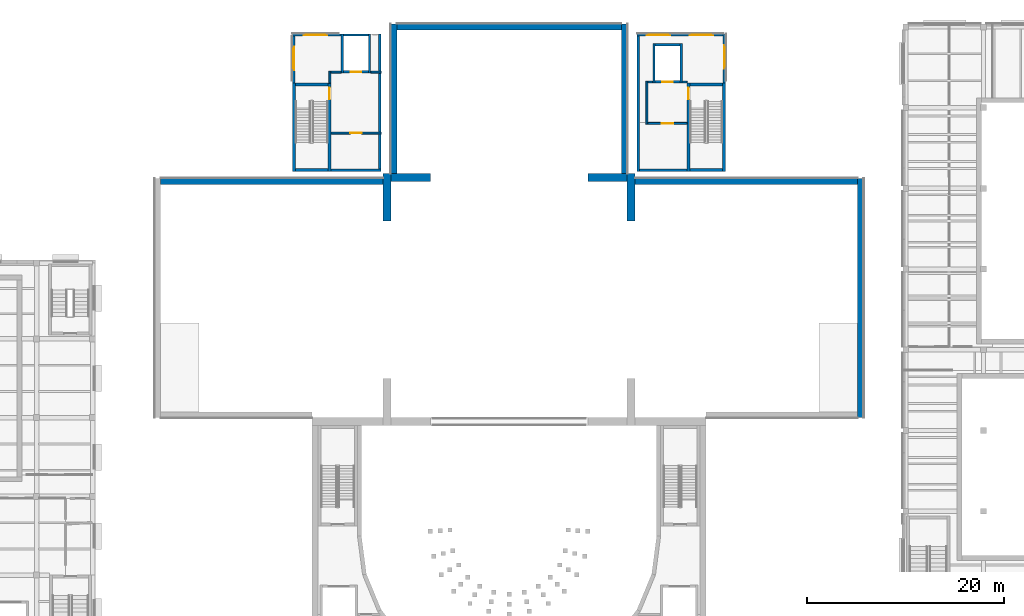
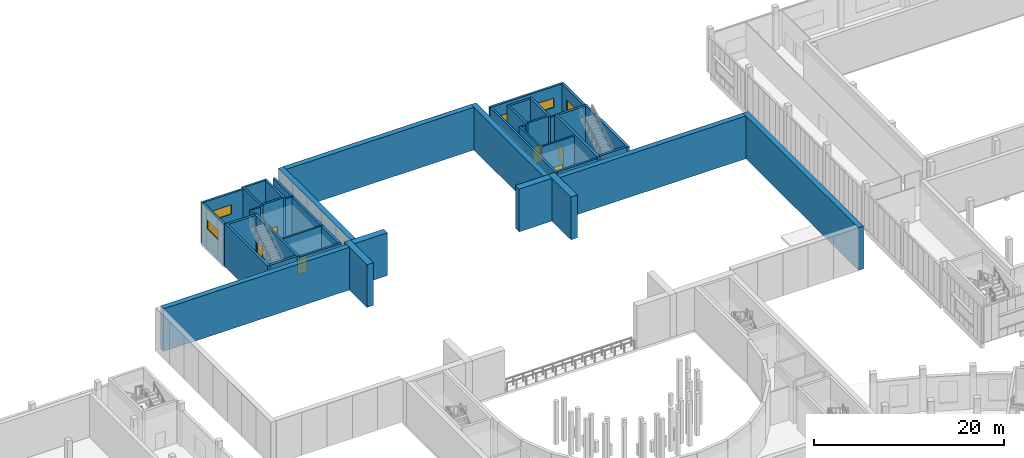
# One storey, part 60 of 112: 44 walls, 6 doors, 5 windows, 11 openings.
"""IFC4 building model written with IfcOpenShell, lengths in metres."""

from ifc_helpers import new_model, si_unit, direction, frame, frame_2d, origin, place, context, subcontext, project, spatial, rectangle, extrude, material, layer, layer_set, type_object, element, fill, save


model = new_model("IFC4")

# Units and contexts
model_context = context("Model", 3, precision=1e-05, world=origin(), true_north=direction((0.0, 1.0)))
body_context = subcontext(model_context, "Body", "Model", "MODEL_VIEW")
ifc_project = project(units=[si_unit("LENGTHUNIT", "METRE"), si_unit("AREAUNIT", "SQUARE_METRE"), si_unit("VOLUMEUNIT", "CUBIC_METRE"), si_unit("PLANEANGLEUNIT", "RADIAN"), si_unit("MASSUNIT", "GRAM", prefix="KILO")], contexts=[model_context])

# Site, building, storey
site_placement = place(None, origin())
site = spatial("IfcSite", under=ifc_project, at=site_placement, CompositionType="ELEMENT")
building_placement = place(site_placement, origin())
building = spatial("IfcBuilding", under=site, at=building_placement, Name="Lunette Opera House", CompositionType="ELEMENT")
storey_placement = place(building_placement, frame((0.0, 0.0, 6.0)))
storey = spatial("IfcBuildingStorey", under=building, at=storey_placement, Name="L01", CompositionType="ELEMENT", Elevation=6.0)

# Walls
ifc_material_1 = material(Name="Concrete C35/45", Category="concrete")
ifc_layer_1 = layer(ifc_material_1, 0.199951171875)
ifc_layer_set_1 = layer_set([ifc_layer_1], Name="Concrete C35/45")
wall_type_1 = type_object("IfcWallType", Name="LOBBY WALL 200", PredefinedType="PARTITIONING", material=ifc_layer_set_1)
wall_1_placement = place(storey_placement, frame((114.080078125, 130.10009765625, 0.0), z_axis=(0.0, 0.0, 1.0), x_axis=(-1.0, 0.0, 0.0)))
element("IfcWall", 1, at=wall_1_placement, inside=storey, type_object=wall_type_1, Name="FL3 lobby wall 2a", PredefinedType="PARTITIONING", context=body_context, shape_type="SweptSolid", body=[
    extrude(rectangle(XDim=0.489990234375, YDim=0.199951171875, at=frame_2d((0.2451171875, 0.0))), origin(), (0.0, 0.0, 1.0), 5.280029296875),
])
wall_2_placement = place(storey_placement, frame((110.580078125, 130.10009765625, 0.0), z_axis=(0.0, 0.0, 1.0), x_axis=(-1.0, 0.0, 0.0)))
element("IfcWall", 2, at=wall_2_placement, inside=storey, type_object=wall_type_1, Name="FL3 lobby wall 2b", PredefinedType="PARTITIONING", context=body_context, shape_type="SweptSolid", body=[
    extrude(rectangle(XDim=0.47998046875, YDim=0.199951171875, at=frame_2d((0.239990234375, 0.0))), origin(), (0.0, 0.0, 1.0), 5.280029296875),
])
wall_3_placement = place(storey_placement, frame((110.0, 130.199951171875, 0.0), z_axis=(0.0, 0.0, 1.0), x_axis=(0.0, -1.0, 0.0)))
element("IfcWall", 3, at=wall_3_placement, inside=storey, type_object=wall_type_1, Name="FL3 lobby wall 3a", PredefinedType="PARTITIONING", context=body_context, shape_type="SweptSolid", body=[
    extrude(rectangle(XDim=4.39990234375, YDim=0.199951171875, at=frame_2d((2.199951171875, 0.0))), origin(), (0.0, 0.0, 1.0), 5.280029296875),
])

# Wall, opening, door
wall_4_placement = place(storey_placement, frame((110.10009765625, 125.89990234375, 0.0), z_axis=(0.0, 0.0, 1.0), x_axis=(1.0, 0.0, 0.0)))
wall_4 = element("IfcWall", 4, at=wall_4_placement, inside=storey, type_object=wall_type_1, Name="FL3 lobby wall 4a", PredefinedType="PARTITIONING", context=body_context, shape_type="SweptSolid", body=[
    extrude(rectangle(XDim=3.97998046875, YDim=0.199951171875, at=frame_2d((1.989990234375, 0.0))), origin(), (0.0, 0.0, 1.0), 5.280029296875),
])
opening_1_placement = place(wall_4_placement, frame((1.389892578125, 0.0, 0.0)))
opening_1 = element("IfcOpeningElement", 5, at=opening_1_placement, cuts=wall_4, Name="Opening ST-D7026", PredefinedType="OPENING", context=body_context, shape_type="SweptSolid", body=[
    extrude(rectangle(XDim=1.199951171875, YDim=2.10009765625, at=frame_2d((0.60009765625, 1.050048828125))), frame((0.0, 0.112060546875, 0.0), z_axis=(0.0, -1.0, 0.0), x_axis=(1.0, 0.0, 0.0)), (0.0, 0.0, 1.0), 0.223876953125),
])
ifc_material_2 = material(Name="Steel", Category="steel")
door_type_1 = type_object("IfcDoorType", Name="FIRE DOOR 1200 X 2100", OperationType="SINGLE_SWING_LEFT", PredefinedType="DOOR", material=ifc_material_2)
door_1_placement = place(opening_1_placement, origin())
door_1 = element("IfcDoor", 6, at=door_1_placement, inside=storey, type_object=door_type_1, Name="FL3 lobby door", OperationType="SINGLE_SWING_LEFT", OverallHeight=2.10009765625, OverallWidth=1.199951171875, PredefinedType="DOOR", context=body_context, shape_type="SweptSolid", body=[
    extrude(rectangle(XDim=1.199951171875, YDim=2.10009765625, at=frame_2d((0.60009765625, 1.050048828125))), frame((0.0, 0.02490234375, 0.0), z_axis=(0.0, -1.0, 0.0), x_axis=(1.0, 0.0, 0.0)), (0.0, 0.0, 1.0), 0.050048828125),
])
fill(opening_1, door_1)

# Walls
for number, where, z_axis, x_axis, name in (
    (7, (83.0, 131.10009765625, 0.0), (0.0, 0.0, 1.0), (-1.0, 0.0, 0.0), "LL-SW lobby wall 2a"),
    (8, (78.929931640625, 131.10009765625, 0.0), (0.0, 0.0, 1.0), (-1.0, 0.0, 0.0), "LL-SW lobby wall 2b"),
):
    element("IfcWall", number, at=place(storey_placement, frame(where, z_axis=z_axis, x_axis=x_axis)), inside=storey, type_object=wall_type_1, Name=name, PredefinedType="PARTITIONING", context=body_context, shape_type="SweptSolid", body=[
        extrude(rectangle(XDim=1.030029296875, YDim=0.199951171875, at=frame_2d((0.51513671875, 0.0))), origin(), (0.0, 0.0, 1.0), 5.280029296875),
    ])
wall_5_placement = place(storey_placement, frame((77.800048828125, 131.199951171875, 0.0), z_axis=(0.0, 0.0, 1.0), x_axis=(0.0, -1.0, 0.0)))
element("IfcWall", 9, at=wall_5_placement, inside=storey, type_object=wall_type_1, Name="LL-SW lobby wall 3a", PredefinedType="PARTITIONING", context=body_context, shape_type="SweptSolid", body=[
    extrude(rectangle(XDim=1.2099609375, YDim=0.199951171875, at=frame_2d((0.60498046875, 0.0))), origin(), (0.0, 0.0, 1.0), 5.280029296875),
])

# Wall, opening, door
wall_6_placement = place(storey_placement, frame((77.919921875, 124.89990234375, 0.0), z_axis=(0.0, 0.0, 1.0), x_axis=(1.0, 0.0, 0.0)))
wall_6 = element("IfcWall", 10, at=wall_6_placement, inside=storey, type_object=wall_type_1, Name="LL-SW lobby wall 4a", PredefinedType="PARTITIONING", context=body_context, shape_type="SweptSolid", body=[
    extrude(rectangle(XDim=5.080078125, YDim=0.199951171875, at=frame_2d((2.5400390625, 0.0))), origin(), (0.0, 0.0, 1.0), 5.280029296875),
])
opening_2_placement = place(wall_6_placement, frame((1.93994140625, 0.0, 0.0)))
opening_2 = element("IfcOpeningElement", 11, at=opening_2_placement, cuts=wall_6, Name="Opening ST-D7035", PredefinedType="OPENING", context=body_context, shape_type="SweptSolid", body=[
    extrude(rectangle(XDim=1.199951171875, YDim=2.10009765625, at=frame_2d((0.60009765625, 1.050048828125))), frame((0.0, 0.112060546875, 0.0), z_axis=(0.0, -1.0, 0.0), x_axis=(1.0, 0.0, 0.0)), (0.0, 0.0, 1.0), 0.223876953125),
])
door_2_placement = place(opening_2_placement, origin())
door_2 = element("IfcDoor", 12, at=door_2_placement, inside=storey, type_object=door_type_1, Name="LL-SW lobby door", OperationType="SINGLE_SWING_LEFT", OverallHeight=2.10009765625, OverallWidth=1.199951171875, PredefinedType="DOOR", context=body_context, shape_type="SweptSolid", body=[
    extrude(rectangle(XDim=1.199951171875, YDim=2.10009765625, at=frame_2d((0.60009765625, 1.050048828125))), frame((0.0, 0.02490234375, 0.0), z_axis=(0.0, -1.0, 0.0), x_axis=(1.0, 0.0, 0.0)), (0.0, 0.0, 1.0), 0.050048828125),
])
fill(opening_2, door_2)

# Walls
ifc_material_3 = material(Name="Concrete C35/45", Category="concrete")
ifc_layer_2 = layer(ifc_material_3, 0.25)
ifc_layer_set_2 = layer_set([ifc_layer_2], Name="Concrete C35/45")
wall_type_2 = type_object("IfcWallType", Name="RC LIFT SHAFT WALL 250", PredefinedType="SOLIDWALL", material=ifc_layer_set_2)
wall_7_placement = place(storey_placement, frame((113.47509765625, 130.0, 0.0), z_axis=(0.0, 0.0, 1.0), x_axis=(0.0, 1.0, 0.0)))
element("IfcWall", 13, at=wall_7_placement, inside=storey, type_object=wall_type_2, Name="FL3 shaft wall 1", PredefinedType="SOLIDWALL", context=body_context, shape_type="SweptSolid", body=[
    extrude(rectangle(XDim=4.0, YDim=0.25, at=frame_2d((2.0, 0.0))), origin(), (0.0, 0.0, 1.0), 5.5),
])
wall_8_placement = place(storey_placement, frame((113.35009765625, 133.875, 0.0), z_axis=(0.0, 0.0, 1.0), x_axis=(-1.0, 0.0, 0.0)))
element("IfcWall", 14, at=wall_8_placement, inside=storey, type_object=wall_type_2, Name="FL3 shaft wall 2", PredefinedType="SOLIDWALL", context=body_context, shape_type="SweptSolid", body=[
    extrude(rectangle(XDim=2.5, YDim=0.25, at=frame_2d((1.25, 0.0))), origin(), (0.0, 0.0, 1.0), 5.5),
])
wall_9_placement = place(storey_placement, frame((110.72509765625, 134.0, 0.0), z_axis=(0.0, 0.0, 1.0), x_axis=(0.0, -1.0, 0.0)))
element("IfcWall", 15, at=wall_9_placement, inside=storey, type_object=wall_type_2, Name="FL3 shaft wall 3", PredefinedType="SOLIDWALL", context=body_context, shape_type="SweptSolid", body=[
    extrude(rectangle(XDim=4.0, YDim=0.25, at=frame_2d((2.0, 0.0))), origin(), (0.0, 0.0, 1.0), 5.5),
])

# Wall, opening, door
wall_10_placement = place(storey_placement, frame((110.85009765625, 130.125, 0.0), z_axis=(0.0, 0.0, 1.0), x_axis=(1.0, 0.0, 0.0)))
wall_10 = element("IfcWall", 16, at=wall_10_placement, inside=storey, type_object=wall_type_2, Name="FL3 shaft wall 4", PredefinedType="SOLIDWALL", context=body_context, shape_type="SweptSolid", body=[
    extrude(rectangle(XDim=2.5, YDim=0.25, at=frame_2d((1.25, 0.0))), origin(), (0.0, 0.0, 1.0), 5.5),
])
opening_3_placement = place(wall_10_placement, frame((0.699951171875, 0.0, 0.0)))
opening_3 = element("IfcOpeningElement", 17, at=opening_3_placement, cuts=wall_10, Name="Opening ST-LD004", PredefinedType="OPENING", context=body_context, shape_type="SweptSolid", body=[
    extrude(rectangle(XDim=1.10009765625, YDim=2.10009765625, at=frame_2d((0.550048828125, 1.050048828125))), frame((0.0, 0.136962890625, 0.0), z_axis=(0.0, -1.0, 0.0), x_axis=(1.0, 0.0, 0.0)), (0.0, 0.0, 1.0), 0.27392578125),
])
ifc_material_4 = material(Name="Stainless steel", Category="steel")
door_type_2 = type_object("IfcDoorType", Name="LIFT LANDING DOOR 1100 X 2100", OperationType="DOUBLE_DOOR_SLIDING", PredefinedType="DOOR", material=ifc_material_4)
door_3_placement = place(opening_3_placement, origin())
door_3 = element("IfcDoor", 18, at=door_3_placement, inside=storey, type_object=door_type_2, Name="FL3 lift landing door", OperationType="DOUBLE_DOOR_SLIDING", OverallHeight=2.10009765625, OverallWidth=1.10009765625, PredefinedType="DOOR", context=body_context, shape_type="SweptSolid", body=[
    extrude(rectangle(XDim=1.10009765625, YDim=2.10009765625, at=frame_2d((0.550048828125, 1.050048828125))), frame((0.0, 0.02490234375, 0.0), z_axis=(0.0, -1.0, 0.0), x_axis=(1.0, 0.0, 0.0)), (0.0, 0.0, 1.0), 0.050048828125),
])
fill(opening_3, door_3)

# Walls
wall_11_placement = place(storey_placement, frame((81.824951171875, 131.0, 0.0), z_axis=(0.0, 0.0, 1.0), x_axis=(0.0, 1.0, 0.0)))
element("IfcWall", 19, at=wall_11_placement, inside=storey, type_object=wall_type_2, Name="LF7 shaft wall 1", PredefinedType="SOLIDWALL", context=body_context, shape_type="SweptSolid", body=[
    extrude(rectangle(XDim=4.0, YDim=0.25, at=frame_2d((2.0, 0.0))), origin(), (0.0, 0.0, 1.0), 5.5),
])
wall_12_placement = place(storey_placement, frame((81.699951171875, 134.875, 0.0), z_axis=(0.0, 0.0, 1.0), x_axis=(-1.0, 0.0, 0.0)))
element("IfcWall", 20, at=wall_12_placement, inside=storey, type_object=wall_type_2, Name="LF7 shaft wall 2", PredefinedType="SOLIDWALL", context=body_context, shape_type="SweptSolid", body=[
    extrude(rectangle(XDim=2.5, YDim=0.25, at=frame_2d((1.25, 0.0))), origin(), (0.0, 0.0, 1.0), 5.5),
])
wall_13_placement = place(storey_placement, frame((79.074951171875, 135.0, 0.0), z_axis=(0.0, 0.0, 1.0), x_axis=(0.0, -1.0, 0.0)))
element("IfcWall", 21, at=wall_13_placement, inside=storey, type_object=wall_type_2, Name="LF7 shaft wall 3", PredefinedType="SOLIDWALL", context=body_context, shape_type="SweptSolid", body=[
    extrude(rectangle(XDim=4.0, YDim=0.25, at=frame_2d((2.0, 0.0))), origin(), (0.0, 0.0, 1.0), 5.5),
])

# Wall, opening, door
wall_14_placement = place(storey_placement, frame((79.199951171875, 131.125, 0.0), z_axis=(0.0, 0.0, 1.0), x_axis=(1.0, 0.0, 0.0)))
wall_14 = element("IfcWall", 22, at=wall_14_placement, inside=storey, type_object=wall_type_2, Name="LF7 shaft wall 4", PredefinedType="SOLIDWALL", context=body_context, shape_type="SweptSolid", body=[
    extrude(rectangle(XDim=2.5, YDim=0.25, at=frame_2d((1.25, 0.0))), origin(), (0.0, 0.0, 1.0), 5.5),
])
opening_4_placement = place(wall_14_placement, frame((0.699951171875, 0.0, 0.0)))
opening_4 = element("IfcOpeningElement", 23, at=opening_4_placement, cuts=wall_14, Name="Opening ST-LD013", PredefinedType="OPENING", context=body_context, shape_type="SweptSolid", body=[
    extrude(rectangle(XDim=1.10009765625, YDim=2.10009765625, at=frame_2d((0.550048828125, 1.050048828125))), frame((0.0, 0.136962890625, 0.0), z_axis=(0.0, -1.0, 0.0), x_axis=(1.0, 0.0, 0.0)), (0.0, 0.0, 1.0), 0.27392578125),
])
door_4_placement = place(opening_4_placement, origin())
door_4 = element("IfcDoor", 24, at=door_4_placement, inside=storey, type_object=door_type_2, Name="LF7 lift landing door", OperationType="DOUBLE_DOOR_SLIDING", OverallHeight=2.10009765625, OverallWidth=1.10009765625, PredefinedType="DOOR", context=body_context, shape_type="SweptSolid", body=[
    extrude(rectangle(XDim=1.10009765625, YDim=2.10009765625, at=frame_2d((0.550048828125, 1.050048828125))), frame((0.0, 0.02490234375, 0.0), z_axis=(0.0, -1.0, 0.0), x_axis=(1.0, 0.0, 0.0)), (0.0, 0.0, 1.0), 0.050048828125),
])
fill(opening_4, door_4)

ifc_material_5 = material(Name="Concrete C35/45", Category="concrete")
ifc_layer_3 = layer(ifc_material_5, 0.300048828125)
ifc_layer_set_3 = layer_set([ifc_layer_3], Name="Concrete C35/45")
wall_type_3 = type_object("IfcWallType", Name="RC STAIR ENCLOSURE WALL 300", PredefinedType="SOLIDWALL", material=ifc_layer_set_3)
wall_15_placement = place(storey_placement, frame((77.75, 121.0, 0.0), z_axis=(0.0, 0.0, 1.0), x_axis=(0.0, 1.0, 0.0)))
wall_15 = element("IfcWall", 25, at=wall_15_placement, inside=storey, type_object=wall_type_3, Name="ST11 enclosure wall 1", PredefinedType="SOLIDWALL", context=body_context, shape_type="SweptSolid", body=[
    extrude(rectangle(XDim=9.0, YDim=0.300048828125, at=frame_2d((4.5, 0.0))), origin(), (0.0, 0.0, 1.0), 5.5),
])
opening_5_placement = place(wall_15_placement, frame((7.324951171875, 0.0, 0.0)))
opening_5 = element("IfcOpeningElement", 26, at=opening_5_placement, cuts=wall_15, Name="Opening ST-D7004", PredefinedType="OPENING", context=body_context, shape_type="SweptSolid", body=[
    extrude(rectangle(XDim=1.199951171875, YDim=2.10009765625, at=frame_2d((0.60009765625, 1.050048828125))), frame((0.0, 0.162109375, 0.0), z_axis=(0.0, -1.0, 0.0), x_axis=(1.0, 0.0, 0.0)), (0.0, 0.0, 1.0), 0.323974609375),
])
door_5_placement = place(opening_5_placement, origin())
door_5 = element("IfcDoor", 27, at=door_5_placement, inside=storey, type_object=door_type_1, Name="ST11 stair door", OperationType="SINGLE_SWING_LEFT", OverallHeight=2.10009765625, OverallWidth=1.199951171875, PredefinedType="DOOR", context=body_context, shape_type="SweptSolid", body=[
    extrude(rectangle(XDim=1.199951171875, YDim=2.10009765625, at=frame_2d((0.60009765625, 1.050048828125))), frame((0.0, 0.02490234375, 0.0), z_axis=(0.0, -1.0, 0.0), x_axis=(1.0, 0.0, 0.0)), (0.0, 0.0, 1.0), 0.050048828125),
])
fill(opening_5, door_5)

# Walls
wall_16_placement = place(storey_placement, frame((77.60009765625, 129.85009765625, 0.0), z_axis=(0.0, 0.0, 1.0), x_axis=(-1.0, 0.0, 0.0)))
element("IfcWall", 28, at=wall_16_placement, inside=storey, type_object=wall_type_3, Name="ST11 enclosure wall 2", PredefinedType="SOLIDWALL", context=body_context, shape_type="SweptSolid", body=[
    extrude(rectangle(XDim=3.300048828125, YDim=0.300048828125, at=frame_2d((1.64990234375, 0.0))), origin(), (0.0, 0.0, 1.0), 5.5),
])
wall_17_placement = place(storey_placement, frame((74.14990234375, 130.0, 0.0), z_axis=(0.0, 0.0, 1.0), x_axis=(0.0, -1.0, 0.0)))
element("IfcWall", 29, at=wall_17_placement, inside=storey, type_object=wall_type_3, Name="ST11 enclosure wall 3", PredefinedType="SOLIDWALL", context=body_context, shape_type="SweptSolid", body=[
    extrude(rectangle(XDim=9.0, YDim=0.300048828125, at=frame_2d((4.5, 0.0))), origin(), (0.0, 0.0, 1.0), 5.5),
])
wall_18_placement = place(storey_placement, frame((74.300048828125, 121.14990234375, 0.0), z_axis=(0.0, 0.0, 1.0), x_axis=(1.0, 0.0, 0.0)))
element("IfcWall", 30, at=wall_18_placement, inside=storey, type_object=wall_type_3, Name="ST11 enclosure wall 4", PredefinedType="SOLIDWALL", context=body_context, shape_type="SweptSolid", body=[
    extrude(rectangle(XDim=3.300048828125, YDim=0.300048828125, at=frame_2d((1.64990234375, 0.0))), origin(), (0.0, 0.0, 1.0), 5.5),
])
wall_19_placement = place(storey_placement, frame((117.85009765625, 121.0, 0.0), z_axis=(0.0, 0.0, 1.0), x_axis=(0.0, 1.0, 0.0)))
element("IfcWall", 31, at=wall_19_placement, inside=storey, type_object=wall_type_3, Name="ST12 enclosure wall 1", PredefinedType="SOLIDWALL", context=body_context, shape_type="SweptSolid", body=[
    extrude(rectangle(XDim=9.0, YDim=0.300048828125, at=frame_2d((4.5, 0.0))), origin(), (0.0, 0.0, 1.0), 5.5),
])
wall_20_placement = place(storey_placement, frame((117.699951171875, 129.85009765625, 0.0), z_axis=(0.0, 0.0, 1.0), x_axis=(-1.0, 0.0, 0.0)))
element("IfcWall", 32, at=wall_20_placement, inside=storey, type_object=wall_type_3, Name="ST12 enclosure wall 2", PredefinedType="SOLIDWALL", context=body_context, shape_type="SweptSolid", body=[
    extrude(rectangle(XDim=3.300048828125, YDim=0.300048828125, at=frame_2d((1.64990234375, 0.0))), origin(), (0.0, 0.0, 1.0), 5.5),
])

# Wall, opening, door
wall_21_placement = place(storey_placement, frame((114.25, 130.0, 0.0), z_axis=(0.0, 0.0, 1.0), x_axis=(0.0, -1.0, 0.0)))
wall_21 = element("IfcWall", 33, at=wall_21_placement, inside=storey, type_object=wall_type_3, Name="ST12 enclosure wall 3", PredefinedType="SOLIDWALL", context=body_context, shape_type="SweptSolid", body=[
    extrude(rectangle(XDim=9.0, YDim=0.300048828125, at=frame_2d((4.5, 0.0))), origin(), (0.0, 0.0, 1.0), 5.5),
])
opening_6_placement = place(wall_21_placement, frame((0.47509765625, 0.0, 0.0)))
opening_6 = element("IfcOpeningElement", 34, at=opening_6_placement, cuts=wall_21, Name="Opening ST-D7013", PredefinedType="OPENING", context=body_context, shape_type="SweptSolid", body=[
    extrude(rectangle(XDim=1.199951171875, YDim=2.10009765625, at=frame_2d((0.60009765625, 1.050048828125))), frame((0.0, 0.162109375, 0.0), z_axis=(0.0, -1.0, 0.0), x_axis=(1.0, 0.0, 0.0)), (0.0, 0.0, 1.0), 0.323974609375),
])
door_6_placement = place(opening_6_placement, origin())
door_6 = element("IfcDoor", 35, at=door_6_placement, inside=storey, type_object=door_type_1, Name="ST12 stair door", OperationType="SINGLE_SWING_LEFT", OverallHeight=2.10009765625, OverallWidth=1.199951171875, PredefinedType="DOOR", context=body_context, shape_type="SweptSolid", body=[
    extrude(rectangle(XDim=1.199951171875, YDim=2.10009765625, at=frame_2d((0.60009765625, 1.050048828125))), frame((0.0, 0.02490234375, 0.0), z_axis=(0.0, -1.0, 0.0), x_axis=(1.0, 0.0, 0.0)), (0.0, 0.0, 1.0), 0.050048828125),
])
fill(opening_6, door_6)

# Walls
wall_22_placement = place(storey_placement, frame((114.39990234375, 121.14990234375, 0.0), z_axis=(0.0, 0.0, 1.0), x_axis=(1.0, 0.0, 0.0)))
element("IfcWall", 36, at=wall_22_placement, inside=storey, type_object=wall_type_3, Name="ST12 enclosure wall 4", PredefinedType="SOLIDWALL", context=body_context, shape_type="SweptSolid", body=[
    extrude(rectangle(XDim=3.300048828125, YDim=0.300048828125, at=frame_2d((1.64990234375, 0.0))), origin(), (0.0, 0.0, 1.0), 5.5),
])
ifc_material_6 = material(Name="Concrete C35/45", Category="concrete")
ifc_layer_4 = layer(ifc_material_6, 0.60009765625)
ifc_layer_set_4 = layer_set([ifc_layer_4], Name="Concrete C35/45")
wall_type_4 = type_object("IfcWallType", Name="RC WALL 600", PredefinedType="SHEAR", material=ifc_layer_set_4)
wall_23_placement = place(storey_placement, frame((60.60009765625, 120.0, 0.0), z_axis=(0.0, 0.0, 1.0), x_axis=(1.0, 0.0, 0.0)))
element("IfcWall", 37, at=wall_23_placement, inside=storey, type_object=wall_type_4, Name="wall-ST-L01-SW-N-1", PredefinedType="SHEAR", context=body_context, shape_type="SweptSolid", body=[
    extrude(rectangle(XDim=22.599853515625, YDim=0.60009765625, at=frame_2d((11.2998046875, 0.0))), origin(), (0.0, 0.0, 1.0), 5.5),
])
wall_24_placement = place(storey_placement, frame((131.699951171875, 96.0, 0.0), z_axis=(0.0, 0.0, 1.0), x_axis=(0.0, 1.0, 0.0)))
element("IfcWall", 38, at=wall_24_placement, inside=storey, type_object=wall_type_4, Name="wall-ST-L01-SE-E-1", PredefinedType="SHEAR", context=body_context, shape_type="SweptSolid", body=[
    extrude(rectangle(XDim=24.300048828125, YDim=0.60009765625, at=frame_2d((12.14990234375, 0.0))), origin(), (0.0, 0.0, 1.0), 5.5),
])
wall_25_placement = place(storey_placement, frame((108.800048828125, 120.0, 0.0), z_axis=(0.0, 0.0, 1.0), x_axis=(1.0, 0.0, 0.0)))
element("IfcWall", 39, at=wall_25_placement, inside=storey, type_object=wall_type_4, Name="wall-ST-L01-SE-N-1", PredefinedType="SHEAR", context=body_context, shape_type="SweptSolid", body=[
    extrude(rectangle(XDim=22.599853515625, YDim=0.60009765625, at=frame_2d((11.2998046875, 0.0))), origin(), (0.0, 0.0, 1.0), 5.5),
])
for number, where, z_axis, x_axis, name in (
    (40, (84.300048828125, 120.800048828125, 0.0), (0.0, 0.0, 1.0), (0.0, 1.0, 0.0), "wall-ST-L01-SR-W-1"),
    (41, (107.699951171875, 120.800048828125, 0.0), (0.0, 0.0, 1.0), (0.0, 1.0, 0.0), "wall-ST-L01-SR-E-1"),
):
    element("IfcWall", number, at=place(storey_placement, frame(where, z_axis=z_axis, x_axis=x_axis)), inside=storey, type_object=wall_type_4, Name=name, PredefinedType="SHEAR", context=body_context, shape_type="SweptSolid", body=[
        extrude(rectangle(XDim=15.199951171875, YDim=0.60009765625, at=frame_2d((7.60009765625, 0.0))), origin(), (0.0, 0.0, 1.0), 5.5),
    ])
wall_26_placement = place(storey_placement, frame((84.60009765625, 135.699951171875, 0.0), z_axis=(0.0, 0.0, 1.0), x_axis=(1.0, 0.0, 0.0)))
element("IfcWall", 42, at=wall_26_placement, inside=storey, type_object=wall_type_4, Name="wall-ST-L01-SR-N-1", PredefinedType="SHEAR", context=body_context, shape_type="SweptSolid", body=[
    extrude(rectangle(XDim=22.7998046875, YDim=0.60009765625, at=frame_2d((11.39990234375, 0.0))), origin(), (0.0, 0.0, 1.0), 5.5),
])
ifc_material_7 = material(Name="Concrete C40/50", Category="concrete")
ifc_layer_5 = layer(ifc_material_7, 0.800048828125)
ifc_layer_set_5 = layer_set([ifc_layer_5], Name="Concrete C40/50")
wall_type_5 = type_object("IfcWallType", Name="RC WALL 800", PredefinedType="SHEAR", material=ifc_layer_set_5)
for number, where, z_axis, x_axis, name in (
    (43, (83.60009765625, 116.0, 0.0), (0.0, 0.0, 1.0), (0.0, 1.0, 0.0), "wall-ST-L01-WW-2"),
    (44, (108.39990234375, 116.0, 0.0), (0.0, 0.0, 1.0), (0.0, 1.0, 0.0), "wall-ST-L01-WE-2"),
):
    element("IfcWall", number, at=place(storey_placement, frame(where, z_axis=z_axis, x_axis=x_axis)), inside=storey, type_object=wall_type_5, Name=name, PredefinedType="SHEAR", context=body_context, shape_type="SweptSolid", body=[
        extrude(rectangle(XDim=4.800048828125, YDim=0.800048828125, at=frame_2d((2.39990234375, 0.0))), origin(), (0.0, 0.0, 1.0), 5.5),
    ])
for number, where, z_axis, x_axis, name in (
    (45, (84.0, 120.39990234375, 0.0), (0.0, 0.0, 1.0), (1.0, 0.0, 0.0), "wall-ST-L01-WN-1"),
    (46, (104.0, 120.39990234375, 0.0), (0.0, 0.0, 1.0), (1.0, 0.0, 0.0), "wall-ST-L01-WN-2"),
):
    element("IfcWall", number, at=place(storey_placement, frame(where, z_axis=z_axis, x_axis=x_axis)), inside=storey, type_object=wall_type_5, Name=name, PredefinedType="SHEAR", context=body_context, shape_type="SweptSolid", body=[
        extrude(rectangle(XDim=4.0, YDim=0.800048828125, at=frame_2d((2.0, 0.0))), origin(), (0.0, 0.0, 1.0), 5.5),
    ])

# Wall, opening, window
ifc_material_8 = material(Name="Insulated aluminium sandwich panel", Category="aluminium")
ifc_layer_6 = layer(ifc_material_8, 0.25)
ifc_layer_set_6 = layer_set([ifc_layer_6], Name="Insulated aluminium sandwich panel")
wall_type_6 = type_object("IfcWallType", Name="STAGE TOWER WALL 250", PredefinedType="SOLIDWALL", material=ifc_layer_set_6)
wall_27_placement = place(storey_placement, frame((78.947998046875, 134.875, 0.0), z_axis=(0.0, 0.0, 1.0), x_axis=(-1.0, 0.0, 0.0)))
wall_27 = element("IfcWall", 47, at=wall_27_placement, inside=storey, type_object=wall_type_6, Name="Stage Tower Wall 250 TW-001 L01", PredefinedType="SOLIDWALL", context=body_context, shape_type="SweptSolid", body=[
    extrude(rectangle(XDim=4.947998046875, YDim=0.25, at=frame_2d((2.47412109375, 0.0))), origin(), (0.0, 0.0, 1.0), 5.280029296875),
])
opening_7_placement = place(wall_27_placement, frame((1.39599609375, 0.0, 2.60009765625)))
opening_7 = element("IfcOpeningElement", 48, at=opening_7_placement, cuts=wall_27, Name="Opening ST-N2127", PredefinedType="OPENING", context=body_context, shape_type="SweptSolid", body=[
    extrude(rectangle(XDim=2.39990234375, YDim=1.199951171875, at=frame_2d((1.199951171875, 0.60009765625))), frame((0.0, 0.136962890625, 0.0), z_axis=(0.0, -1.0, 0.0), x_axis=(1.0, 0.0, 0.0)), (0.0, 0.0, 1.0), 0.27392578125),
])
ifc_material_9 = material(Name="Aluminium", Category="aluminium")
window_type = type_object("IfcWindowType", Name="TOWER RIBBON WINDOW 2400 X 1200", PartitioningType="SINGLE_PANEL", PredefinedType="WINDOW", material=ifc_material_9)
window_1_placement = place(opening_7_placement, origin())
window_1 = element("IfcWindow", 49, at=window_1_placement, inside=storey, type_object=window_type, Name="Tower Ribbon Window 2400 X 1200 TTW1-1 L01", OverallHeight=1.199951171875, OverallWidth=2.39990234375, PartitioningType="SINGLE_PANEL", PredefinedType="WINDOW", context=body_context, shape_type="SweptSolid", body=[
    extrude(rectangle(XDim=2.39990234375, YDim=1.199951171875, at=frame_2d((1.199951171875, 0.60009765625))), frame((0.0, 0.030029296875, 0.0), z_axis=(0.0, -1.0, 0.0), x_axis=(1.0, 0.0, 0.0)), (0.0, 0.0, 1.0), 0.06005859375),
])
fill(opening_7, window_1)

wall_28_placement = place(storey_placement, frame((74.125, 134.75, 0.0), z_axis=(0.0, 0.0, 1.0), x_axis=(0.0, -1.0, 0.0)))
wall_28 = element("IfcWall", 50, at=wall_28_placement, inside=storey, type_object=wall_type_6, Name="Stage Tower Wall 250 TW-002 L01", PredefinedType="SOLIDWALL", context=body_context, shape_type="SweptSolid", body=[
    extrude(rectangle(XDim=4.7548828125, YDim=0.25, at=frame_2d((2.37744140625, 0.0))), origin(), (0.0, 0.0, 1.0), 5.280029296875),
])
opening_8_placement = place(wall_28_placement, frame((1.050048828125, 0.0, 2.60009765625)))
opening_8 = element("IfcOpeningElement", 51, at=opening_8_placement, cuts=wall_28, Name="Opening ST-N2128", PredefinedType="OPENING", context=body_context, shape_type="SweptSolid", body=[
    extrude(rectangle(XDim=2.39990234375, YDim=1.199951171875, at=frame_2d((1.199951171875, 0.60009765625))), frame((0.0, 0.136962890625, 0.0), z_axis=(0.0, -1.0, 0.0), x_axis=(1.0, 0.0, 0.0)), (0.0, 0.0, 1.0), 0.27392578125),
])
window_2_placement = place(opening_8_placement, origin())
window_2 = element("IfcWindow", 52, at=window_2_placement, inside=storey, type_object=window_type, Name="Tower Ribbon Window 2400 X 1200 TTW2-1 L01", OverallHeight=1.199951171875, OverallWidth=2.39990234375, PartitioningType="SINGLE_PANEL", PredefinedType="WINDOW", context=body_context, shape_type="SweptSolid", body=[
    extrude(rectangle(XDim=2.39990234375, YDim=1.199951171875, at=frame_2d((1.199951171875, 0.60009765625))), frame((0.0, 0.030029296875, 0.0), z_axis=(0.0, -1.0, 0.0), x_axis=(1.0, 0.0, 0.0)), (0.0, 0.0, 1.0), 0.06005859375),
])
fill(opening_8, window_2)

# Walls
wall_29_placement = place(storey_placement, frame((77.89794921875, 121.125, 0.0), z_axis=(0.0, 0.0, 1.0), x_axis=(1.0, 0.0, 0.0)))
element("IfcWall", 53, at=wall_29_placement, inside=storey, type_object=wall_type_6, Name="Stage Tower Wall 250 TW-003 L01", PredefinedType="SOLIDWALL", context=body_context, shape_type="SweptSolid", body=[
    extrude(rectangle(XDim=5.10205078125, YDim=0.25, at=frame_2d((2.551025390625, 0.0))), origin(), (0.0, 0.0, 1.0), 5.280029296875),
])
wall_30_placement = place(storey_placement, frame((82.875, 121.25, 0.0), z_axis=(0.0, 0.0, 1.0), x_axis=(0.0, 1.0, 0.0)))
element("IfcWall", 54, at=wall_30_placement, inside=storey, type_object=wall_type_6, Name="Stage Tower Wall 250 TW-004 L01", PredefinedType="SOLIDWALL", context=body_context, shape_type="SweptSolid", body=[
    extrude(rectangle(XDim=3.554931640625, YDim=0.25, at=frame_2d((1.77734375, 0.0))), origin(), (0.0, 0.0, 1.0), 5.280029296875),
])
wall_31_placement = place(storey_placement, frame((82.875, 124.9951171875, 0.0), z_axis=(0.0, 0.0, 1.0), x_axis=(0.0, 1.0, 0.0)))
element("IfcWall", 55, at=wall_31_placement, inside=storey, type_object=wall_type_6, Name="Stage Tower Wall 250 TW-005 L01", PredefinedType="SOLIDWALL", context=body_context, shape_type="SweptSolid", body=[
    extrude(rectangle(XDim=6.009765625, YDim=0.25, at=frame_2d((3.0048828125, 0.0))), origin(), (0.0, 0.0, 1.0), 5.280029296875),
])
wall_32_placement = place(storey_placement, frame((82.875, 131.195068359375, 0.0), z_axis=(0.0, 0.0, 1.0), x_axis=(0.0, 1.0, 0.0)))
element("IfcWall", 56, at=wall_32_placement, inside=storey, type_object=wall_type_6, Name="Stage Tower Wall 250 TW-006 L01", PredefinedType="SOLIDWALL", context=body_context, shape_type="SweptSolid", body=[
    extrude(rectangle(XDim=3.804931640625, YDim=0.25, at=frame_2d((1.90234375, 0.0))), origin(), (0.0, 0.0, 1.0), 5.280029296875),
])

# Wall, opening, window
wall_33_placement = place(storey_placement, frame((117.875, 129.9951171875, 0.0), z_axis=(0.0, 0.0, 1.0), x_axis=(0.0, 1.0, 0.0)))
wall_33 = element("IfcWall", 57, at=wall_33_placement, inside=storey, type_object=wall_type_6, Name="Stage Tower Wall 250 TE-007 L01", PredefinedType="SOLIDWALL", context=body_context, shape_type="SweptSolid", body=[
    extrude(rectangle(XDim=5.0048828125, YDim=0.25, at=frame_2d((2.50244140625, 0.0))), origin(), (0.0, 0.0, 1.0), 5.280029296875),
])
opening_9_placement = place(wall_33_placement, frame((1.429931640625, 0.0, 2.60009765625)))
opening_9 = element("IfcOpeningElement", 58, at=opening_9_placement, cuts=wall_33, Name="Opening ST-N2129", PredefinedType="OPENING", context=body_context, shape_type="SweptSolid", body=[
    extrude(rectangle(XDim=2.39990234375, YDim=1.199951171875, at=frame_2d((1.199951171875, 0.60009765625))), frame((0.0, 0.136962890625, 0.0), z_axis=(0.0, -1.0, 0.0), x_axis=(1.0, 0.0, 0.0)), (0.0, 0.0, 1.0), 0.27392578125),
])
window_3_placement = place(opening_9_placement, origin())
window_3 = element("IfcWindow", 59, at=window_3_placement, inside=storey, type_object=window_type, Name="Tower Ribbon Window 2400 X 1200 TTW7-1 L01", OverallHeight=1.199951171875, OverallWidth=2.39990234375, PartitioningType="SINGLE_PANEL", PredefinedType="WINDOW", context=body_context, shape_type="SweptSolid", body=[
    extrude(rectangle(XDim=2.39990234375, YDim=1.199951171875, at=frame_2d((1.199951171875, 0.60009765625))), frame((0.0, 0.030029296875, 0.0), z_axis=(0.0, -1.0, 0.0), x_axis=(1.0, 0.0, 0.0)), (0.0, 0.0, 1.0), 0.06005859375),
])
fill(opening_9, window_3)

# Wall, openings, windows
wall_34_placement = place(storey_placement, frame((117.75, 134.875, 0.0), z_axis=(0.0, 0.0, 1.0), x_axis=(-1.0, 0.0, 0.0)))
wall_34 = element("IfcWall", 60, at=wall_34_placement, inside=storey, type_object=wall_type_6, Name="Stage Tower Wall 250 TE-008 L01", PredefinedType="SOLIDWALL", context=body_context, shape_type="SweptSolid", body=[
    extrude(rectangle(XDim=8.75, YDim=0.25, at=frame_2d((4.375, 0.0))), origin(), (0.0, 0.0, 1.0), 5.280029296875),
])
opening_10_placement = place(wall_34_placement, frame((0.988037109375, 0.0, 2.60009765625)))
opening_10 = element("IfcOpeningElement", 61, at=opening_10_placement, cuts=wall_34, Name="Opening ST-N2130", PredefinedType="OPENING", context=body_context, shape_type="SweptSolid", body=[
    extrude(rectangle(XDim=2.39990234375, YDim=1.199951171875, at=frame_2d((1.199951171875, 0.60009765625))), frame((0.0, 0.136962890625, 0.0), z_axis=(0.0, -1.0, 0.0), x_axis=(1.0, 0.0, 0.0)), (0.0, 0.0, 1.0), 0.27392578125),
])
opening_11_placement = place(wall_34_placement, frame((5.362060546875, 0.0, 2.60009765625)))
opening_11 = element("IfcOpeningElement", 62, at=opening_11_placement, cuts=wall_34, Name="Opening ST-N2131", PredefinedType="OPENING", context=body_context, shape_type="SweptSolid", body=[
    extrude(rectangle(XDim=2.39990234375, YDim=1.199951171875, at=frame_2d((1.199951171875, 0.60009765625))), frame((0.0, 0.136962890625, 0.0), z_axis=(0.0, -1.0, 0.0), x_axis=(1.0, 0.0, 0.0)), (0.0, 0.0, 1.0), 0.27392578125),
])
window_4_placement = place(opening_10_placement, origin())
window_4 = element("IfcWindow", 63, at=window_4_placement, inside=storey, type_object=window_type, Name="Tower Ribbon Window 2400 X 1200 TTW8-1 L01", OverallHeight=1.199951171875, OverallWidth=2.39990234375, PartitioningType="SINGLE_PANEL", PredefinedType="WINDOW", context=body_context, shape_type="SweptSolid", body=[
    extrude(rectangle(XDim=2.39990234375, YDim=1.199951171875, at=frame_2d((1.199951171875, 0.60009765625))), frame((0.0, 0.030029296875, 0.0), z_axis=(0.0, -1.0, 0.0), x_axis=(1.0, 0.0, 0.0)), (0.0, 0.0, 1.0), 0.06005859375),
])
fill(opening_10, window_4)
window_5_placement = place(opening_11_placement, origin())
window_5 = element("IfcWindow", 64, at=window_5_placement, inside=storey, type_object=window_type, Name="Tower Ribbon Window 2400 X 1200 TTW8-2 L01", OverallHeight=1.199951171875, OverallWidth=2.39990234375, PartitioningType="SINGLE_PANEL", PredefinedType="WINDOW", context=body_context, shape_type="SweptSolid", body=[
    extrude(rectangle(XDim=2.39990234375, YDim=1.199951171875, at=frame_2d((1.199951171875, 0.60009765625))), frame((0.0, 0.030029296875, 0.0), z_axis=(0.0, -1.0, 0.0), x_axis=(1.0, 0.0, 0.0)), (0.0, 0.0, 1.0), 0.06005859375),
])
fill(opening_11, window_5)

# Walls
wall_35_placement = place(storey_placement, frame((109.125, 134.75, 0.0), z_axis=(0.0, 0.0, 1.0), x_axis=(0.0, -1.0, 0.0)))
element("IfcWall", 65, at=wall_35_placement, inside=storey, type_object=wall_type_6, Name="Stage Tower Wall 250 TE-009 L01", PredefinedType="SOLIDWALL", context=body_context, shape_type="SweptSolid", body=[
    extrude(rectangle(XDim=13.75, YDim=0.25, at=frame_2d((6.875, 0.0))), origin(), (0.0, 0.0, 1.0), 5.280029296875),
])
wall_36_placement = place(storey_placement, frame((109.25, 121.125, 0.0), z_axis=(0.0, 0.0, 1.0), x_axis=(1.0, 0.0, 0.0)))
element("IfcWall", 66, at=wall_36_placement, inside=storey, type_object=wall_type_6, Name="Stage Tower Wall 250 TE-010 L01", PredefinedType="SOLIDWALL", context=body_context, shape_type="SweptSolid", body=[
    extrude(rectangle(XDim=4.85205078125, YDim=0.25, at=frame_2d((2.426025390625, 0.0))), origin(), (0.0, 0.0, 1.0), 5.280029296875),
])

save(model, "model.ifc")
